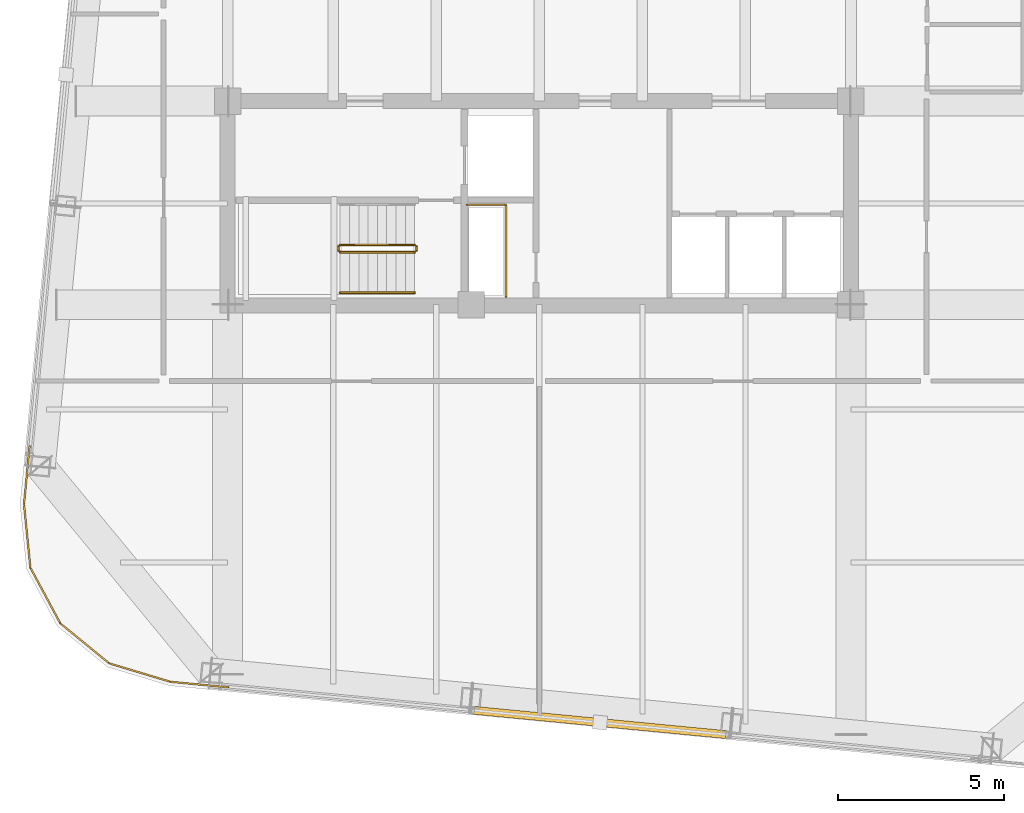
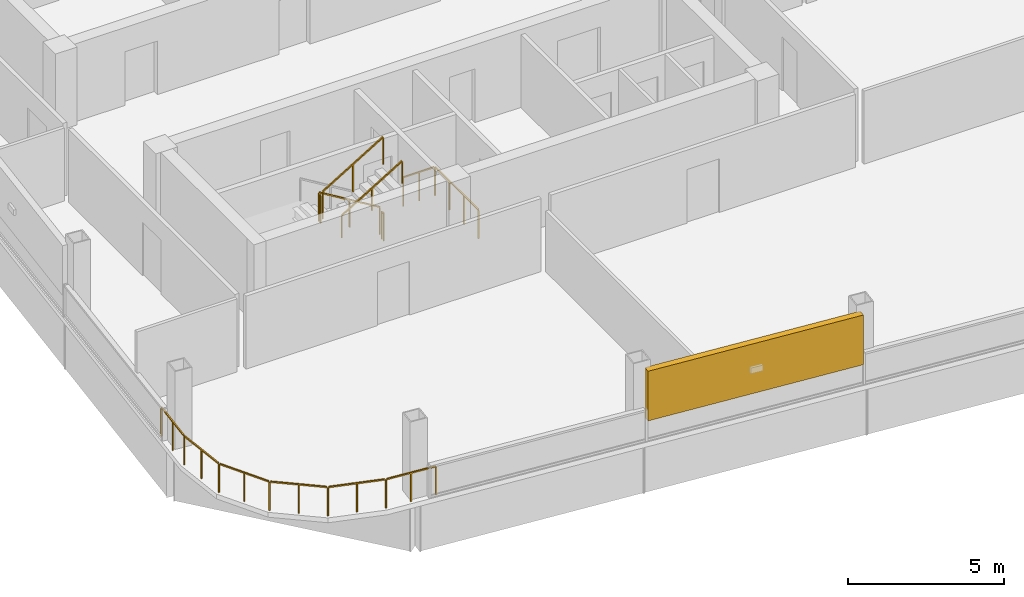
# One storey, part 18 of 21: 7 railings, 1 shading device.
"""IFC4 building model written with IfcOpenShell, lengths in metres."""

from ifc_helpers import new_model, si_unit, direction, frame, origin, origin_2d, place, context, subcontext, project, spatial, rectangle, extrude, material, type_object, element, save


model = new_model("IFC4")

# Units and contexts
model_context = context("Model", 3, precision=1e-05, world=origin(), true_north=direction((0.0, 1.0)))
body_context = subcontext(model_context, "Body", "Model", "MODEL_VIEW")
ifc_project = project(units=[si_unit("LENGTHUNIT", "METRE"), si_unit("AREAUNIT", "SQUARE_METRE"), si_unit("VOLUMEUNIT", "CUBIC_METRE"), si_unit("PLANEANGLEUNIT", "RADIAN"), si_unit("MASSUNIT", "GRAM", prefix="KILO")], contexts=[model_context])

# Site, building, storey
site_placement = place(None, origin())
site = spatial("IfcSite", under=ifc_project, at=site_placement, CompositionType="ELEMENT")
building_placement = place(site_placement, origin())
building = spatial("IfcBuilding", under=site, at=building_placement, Name="Qhalaya Broadcast Tower", CompositionType="ELEMENT")
storey_placement = place(building_placement, frame((0.0, 0.0, 270.300048828125)))
storey = spatial("IfcBuildingStorey", under=building, at=storey_placement, Name="L80", CompositionType="ELEMENT", Elevation=270.300048828125)

# Railings
ifc_material_1 = material(Name="Powder-Coated Galvanised Steel", Category="steel")
railing_type_1 = type_object("IfcRailingType", Name="Stair Wall Handrail 900", PredefinedType="HANDRAIL", material=ifc_material_1)
railing_1_placement = place(storey_placement, frame((-5.989990234375, -8.389892578125, 1.6943359375)))
element("IfcRailing", 1, at=railing_1_placement, inside=storey, type_object=railing_type_1, Name="L80 ST-2 Stair Handrail 2", PredefinedType="HANDRAIL", context=body_context, shape_type="SweptSolid", body=[
    extrude(rectangle(XDim=0.048095703125, YDim=0.048095703125, at=origin_2d()), frame((0.0, 0.0, 0.8759765625), z_axis=(0.855512035549, 0.0, 0.517782924622), x_axis=(0.0, 1.0, 0.0)), (0.0, 0.0, 1.0), 2.618408203125),
    extrude(rectangle(XDim=0.0419921875, YDim=0.0419921875, at=origin_2d()), origin(), (0.0, 0.0, 1.0), 0.849853515625),
    extrude(rectangle(XDim=0.0419921875, YDim=0.0419921875, at=origin_2d()), frame((1.1201171875, 0.0, 0.677734375)), (0.0, 0.0, 1.0), 0.849853515625),
    extrude(rectangle(XDim=0.0419921875, YDim=0.0419921875, at=origin_2d()), frame((2.239990234375, 0.0, 1.355712890625)), (0.0, 0.0, 1.0), 0.849853515625),
])
railing_type_2 = type_object("IfcRailingType", Name="Stair Well & Landing Guardrail 1100", PredefinedType="GUARDRAIL", material=ifc_material_1)
railing_2_placement = place(storey_placement, frame((-1.0, -8.52001953125, 0.0)))
element("IfcRailing", 2, at=railing_2_placement, inside=storey, type_object=railing_type_2, Name="L80 Service Riser Opening Safety Guard SRSR", PredefinedType="GUARDRAIL", context=body_context, shape_type="SweptSolid", body=[
    extrude(rectangle(XDim=0.048095703125, YDim=0.048095703125, at=origin_2d()), frame((0.0, 0.0, 1.1259765625), z_axis=(0.0, 1.0, 0.0), x_axis=(-1.0, 0.0, 0.0)), (0.0, 0.0, 1.0), 2.751220703125),
    extrude(rectangle(XDim=0.048095703125, YDim=0.048095703125, at=origin_2d()), frame((-0.02880859375, 2.780029296875, 1.1259765625), z_axis=(-1.0, 0.0, 0.0), x_axis=(0.0, -1.0, 0.0)), (0.0, 0.0, 1.0), 1.151123046875),
    extrude(rectangle(XDim=0.0419921875, YDim=0.0419921875, at=origin_2d()), origin(), (0.0, 0.0, 1.0), 1.099853515625),
    extrude(rectangle(XDim=0.0419921875, YDim=0.0419921875, at=origin_2d()), frame((0.0, 0.9267578125, 0.0)), (0.0, 0.0, 1.0), 1.099853515625),
    extrude(rectangle(XDim=0.0419921875, YDim=0.0419921875, at=origin_2d()), frame((0.0, 1.853271484375, 0.0)), (0.0, 0.0, 1.0), 1.099853515625),
    extrude(rectangle(XDim=0.0419921875, YDim=0.0419921875, at=origin_2d()), frame((0.0, 2.780029296875, 0.0)), (0.0, 0.0, 1.0), 1.099853515625),
    extrude(rectangle(XDim=0.0419921875, YDim=0.0419921875, at=origin_2d()), frame((-0.58984375, 2.780029296875, 0.0)), (0.0, 0.0, 1.0), 1.099853515625),
    extrude(rectangle(XDim=0.0419921875, YDim=0.0419921875, at=origin_2d()), frame((-1.179931640625, 2.780029296875, 0.0)), (0.0, 0.0, 1.0), 1.099853515625),
])
railing_3_placement = place(storey_placement, frame((-3.75, -6.949951171875, 0.16943359375)))
element("IfcRailing", 3, at=railing_3_placement, inside=storey, type_object=railing_type_2, Name="L80 ST-2 Stair Guard 1", PredefinedType="GUARDRAIL", context=body_context, shape_type="SweptSolid", body=[
    extrude(rectangle(XDim=0.048095703125, YDim=0.048095703125, at=origin_2d()), frame((0.0, 0.0, 1.076171875), z_axis=(-0.855553338991, 0.0, 0.51771467445), x_axis=(0.0, -1.0, 0.0)), (0.0, 0.0, 1.0), 2.6181640625),
    extrude(rectangle(XDim=0.0419921875, YDim=0.0419921875, at=origin_2d()), origin(), (0.0, 0.0, 1.0), 1.050048828125),
    extrude(rectangle(XDim=0.0419921875, YDim=0.0419921875, at=origin_2d()), frame((-1.1201171875, 0.0, 0.677734375)), (0.0, 0.0, 1.0), 1.050048828125),
    extrude(rectangle(XDim=0.0419921875, YDim=0.0419921875, at=origin_2d()), frame((-2.239990234375, 0.0, 1.35546875)), (0.0, 0.0, 1.0), 1.050048828125),
])
railing_4_placement = place(storey_placement, frame((-6.0400390625, -7.0, 1.52490234375)))
element("IfcRailing", 4, at=railing_4_placement, inside=storey, type_object=railing_type_2, Name="L80 ST-2 Stair Guard 2", PredefinedType="GUARDRAIL", context=body_context, shape_type="SweptSolid", body=[
    extrude(rectangle(XDim=0.048095703125, YDim=0.048095703125, at=origin_2d()), frame((0.0, 0.0, 1.076171875), z_axis=(0.0, -1.0, 0.0), x_axis=(1.0, 0.0, 0.0)), (0.0, 0.0, 1.0), 0.1201171875),
    extrude(rectangle(XDim=0.0419921875, YDim=0.0419921875, at=origin_2d()), origin(), (0.0, 0.0, 1.0), 1.050048828125),
    extrude(rectangle(XDim=0.0419921875, YDim=0.0419921875, at=origin_2d()), frame((0.0, -0.1201171875, 0.0)), (0.0, 0.0, 1.0), 1.050048828125),
])
railing_5_placement = place(storey_placement, frame((-5.989990234375, -7.169921875, 1.6943359375)))
element("IfcRailing", 5, at=railing_5_placement, inside=storey, type_object=railing_type_2, Name="L80 ST-2 Stair Guard 3", PredefinedType="GUARDRAIL", context=body_context, shape_type="SweptSolid", body=[
    extrude(rectangle(XDim=0.048095703125, YDim=0.048095703125, at=origin_2d()), frame((0.0, 0.0, 1.076171875), z_axis=(0.855512035549, 0.0, 0.517782924622), x_axis=(0.0, 1.0, 0.0)), (0.0, 0.0, 1.0), 2.618408203125),
    extrude(rectangle(XDim=0.0419921875, YDim=0.0419921875, at=origin_2d()), origin(), (0.0, 0.0, 1.0), 1.050048828125),
    extrude(rectangle(XDim=0.0419921875, YDim=0.0419921875, at=origin_2d()), frame((1.1201171875, 0.0, 0.677734375)), (0.0, 0.0, 1.0), 1.050048828125),
    extrude(rectangle(XDim=0.0419921875, YDim=0.0419921875, at=origin_2d()), frame((2.239990234375, 0.0, 1.355712890625)), (0.0, 0.0, 1.0), 1.050048828125),
])
railing_6_placement = place(storey_placement, frame((-3.699951171875, -7.0, 0.0)))
element("IfcRailing", 6, at=railing_6_placement, inside=storey, type_object=railing_type_2, Name="L80 ST-2 Stair Guard 4", PredefinedType="GUARDRAIL", context=body_context, shape_type="SweptSolid", body=[
    extrude(rectangle(XDim=0.048095703125, YDim=0.048095703125, at=origin_2d()), frame((0.0, 0.0, 1.076171875), z_axis=(0.0, -1.0, 0.0), x_axis=(1.0, 0.0, 0.0)), (0.0, 0.0, 1.0), 0.1201171875),
    extrude(rectangle(XDim=0.0419921875, YDim=0.0419921875, at=origin_2d()), origin(), (0.0, 0.0, 1.0), 1.050048828125),
    extrude(rectangle(XDim=0.0419921875, YDim=0.0419921875, at=origin_2d()), frame((0.0, -0.1201171875, 0.0)), (0.0, 0.0, 1.0), 1.050048828125),
])
railing_type_3 = type_object("IfcRailingType", Name="Terrace, Sky-Pool & Lookout Glass Balustrade 1150", PredefinedType="BALUSTRADE", material=ifc_material_1)
railing_7_placement = place(storey_placement, frame((-9.35400390625, -20.260986328125, 0.0)))
element("IfcRailing", 7, at=railing_7_placement, inside=storey, type_object=railing_type_3, Name="L80 Rounded Corner Perimeter Guard 02", PredefinedType="BALUSTRADE", context=body_context, shape_type="SweptSolid", body=[
    extrude(rectangle(XDim=0.048095703125, YDim=0.048095703125, at=origin_2d()), frame((0.0, 0.0, 1.1259765625), z_axis=(-0.99540189436, 0.09578657894, 0.0), x_axis=(-0.09578657894, -0.99540189436, 0.0)), (0.0, 0.0, 1.0), 1.727294921875),
    extrude(rectangle(XDim=0.048095703125, YDim=0.048095703125, at=origin_2d()), frame((-1.775634765625, 0.176513671875, 1.1259765625), z_axis=(-0.957601447485, 0.288096282124, 0.0), x_axis=(-0.288096282124, -0.957601447485, 0.0)), (0.0, 0.0, 1.0), 1.857421875),
    extrude(rectangle(XDim=0.048095703125, YDim=0.048095703125, at=origin_2d()), frame((-3.6044921875, 0.73828125, 1.1259765625), z_axis=(-0.774357190213, 0.63274871945, 0.0), x_axis=(-0.63274871945, -0.774357190213, 0.0)), (0.0, 0.0, 1.0), 1.845703125),
    extrude(rectangle(XDim=0.048095703125, YDim=0.048095703125, at=origin_2d()), frame((-5.069580078125, 1.94970703125, 1.1259765625), z_axis=(-0.473342342286, 0.880878554058, 0.0), x_axis=(-0.880878554058, -0.473342342286, 0.0)), (0.0, 0.0, 1.0), 1.845458984375),
    extrude(rectangle(XDim=0.048095703125, YDim=0.048095703125, at=origin_2d()), frame((-5.959716796875, 3.629638671875, 1.1259765625), z_axis=(-0.100071682341, 0.994980230152, 0.0), x_axis=(-0.994980230152, -0.100071682341, 0.0)), (0.0, 0.0, 1.0), 1.857421875),
    extrude(rectangle(XDim=0.048095703125, YDim=0.048095703125, at=origin_2d()), frame((-6.145751953125, 5.53515625, 1.1259765625), z_axis=(0.09578657894, 0.99540189436, 0.0), x_axis=(-0.99540189436, 0.09578657894, 0.0)), (0.0, 0.0, 1.0), 1.727294921875),
    extrude(rectangle(XDim=0.0419921875, YDim=0.0419921875, at=origin_2d()), origin(), (0.0, 0.0, 1.0), 1.099853515625),
    extrude(rectangle(XDim=0.0419921875, YDim=0.0419921875, at=origin_2d()), frame((-0.8740234375, 0.083984375, 0.0)), (0.0, 0.0, 1.0), 1.099853515625),
    extrude(rectangle(XDim=0.0419921875, YDim=0.0419921875, at=origin_2d()), frame((-1.748046875, 0.168212890625, 0.0)), (0.0, 0.0, 1.0), 1.099853515625),
    extrude(rectangle(XDim=0.0419921875, YDim=0.0419921875, at=origin_2d()), frame((-2.6650390625, 0.444091796875, 0.0)), (0.0, 0.0, 1.0), 1.099853515625),
    extrude(rectangle(XDim=0.0419921875, YDim=0.0419921875, at=origin_2d()), frame((-3.58203125, 0.719970703125, 0.0)), (0.0, 0.0, 1.0), 1.099853515625),
    extrude(rectangle(XDim=0.0419921875, YDim=0.0419921875, at=origin_2d()), frame((-4.31884765625, 1.322265625, 0.0)), (0.0, 0.0, 1.0), 1.099853515625),
    extrude(rectangle(XDim=0.0419921875, YDim=0.0419921875, at=origin_2d()), frame((-5.055908203125, 1.92431640625, 0.0)), (0.0, 0.0, 1.0), 1.099853515625),
    extrude(rectangle(XDim=0.0419921875, YDim=0.0419921875, at=origin_2d()), frame((-5.50634765625, 2.7626953125, 0.0)), (0.0, 0.0, 1.0), 1.099853515625),
    extrude(rectangle(XDim=0.0419921875, YDim=0.0419921875, at=origin_2d()), frame((-5.956787109375, 3.600830078125, 0.0)), (0.0, 0.0, 1.0), 1.099853515625),
    extrude(rectangle(XDim=0.0419921875, YDim=0.0419921875, at=origin_2d()), frame((-6.052734375, 4.5537109375, 0.0)), (0.0, 0.0, 1.0), 1.099853515625),
    extrude(rectangle(XDim=0.0419921875, YDim=0.0419921875, at=origin_2d()), frame((-6.1484375, 5.50634765625, 0.0)), (0.0, 0.0, 1.0), 1.099853515625),
    extrude(rectangle(XDim=0.0419921875, YDim=0.0419921875, at=origin_2d()), frame((-6.064453125, 6.38037109375, 0.0)), (0.0, 0.0, 1.0), 1.099853515625),
    extrude(rectangle(XDim=0.0419921875, YDim=0.0419921875, at=origin_2d()), frame((-5.980224609375, 7.25439453125, 0.0)), (0.0, 0.0, 1.0), 1.099853515625),
])

# Shading device
ifc_material_2 = material(Name="Fired Architectural Terracotta", Category="masonry")
shading_device_type = type_object("IfcShadingDeviceType", Name="Terracotta Baguette Solar Screen Assembly TBS-01", PredefinedType="USERDEFINED", material=ifc_material_2)
shading_device_placement = place(storey_placement, frame((1.828125, -21.31787109375, 0.80078125), z_axis=(0.0, 0.0, 1.0), x_axis=(0.995396198367, -0.09584575252, 0.0)))
element("IfcShadingDevice", 8, at=shading_device_placement, inside=storey, type_object=shading_device_type, Name="L80 Fired Terracotta Baguette Screen S", ObjectType="BAGUETTE", PredefinedType="USERDEFINED", context=body_context, shape_type="SweptSolid", body=[
    extrude(rectangle(XDim=7.60009765625, YDim=0.239990234375, at=origin_2d()), origin(), (0.0, 0.0, 1.0), 1.945068359375),
])

save(model, "model.ifc")
